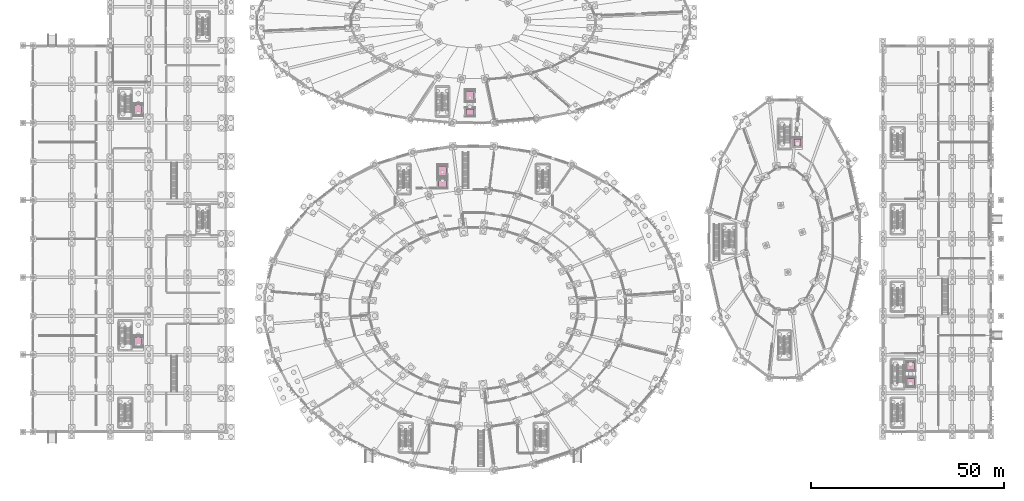
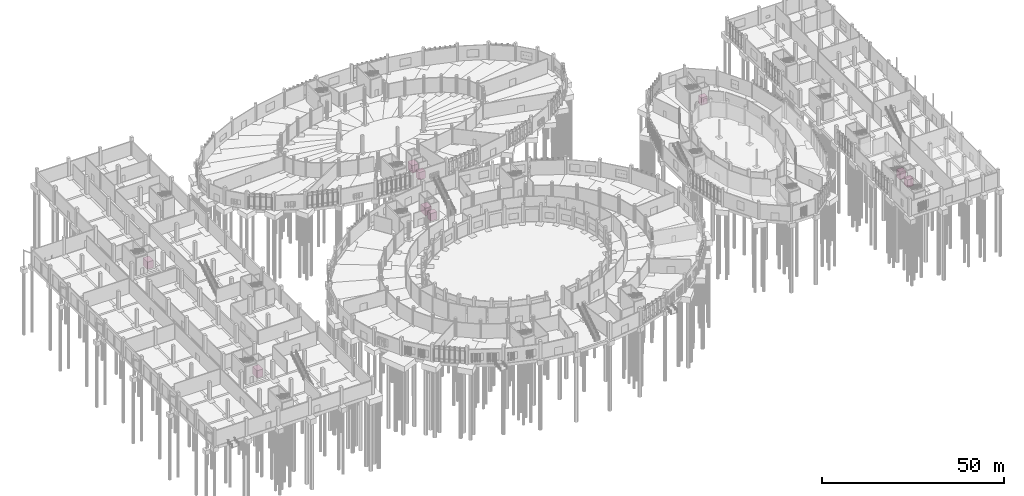
# One storey, part 140 of 140: 9 transport elements.
"""IFC4 building model written with IfcOpenShell, lengths in metres."""

from ifc_helpers import new_model, si_unit, direction, frame, origin, origin_2d, place, context, subcontext, project, spatial, rectangle, extrude, material, type_object, element, save


model = new_model("IFC4")

# Units and contexts
model_context = context("Model", 3, precision=1e-05, world=origin(), true_north=direction((0.0, 1.0)))
body_context = subcontext(model_context, "Body", "Model", "MODEL_VIEW")
ifc_project = project(units=[si_unit("LENGTHUNIT", "METRE"), si_unit("AREAUNIT", "SQUARE_METRE"), si_unit("VOLUMEUNIT", "CUBIC_METRE"), si_unit("PLANEANGLEUNIT", "RADIAN"), si_unit("MASSUNIT", "GRAM", prefix="KILO")], contexts=[model_context])

# Site, building, storey
site_placement = place(None, origin())
site = spatial("IfcSite", under=ifc_project, at=site_placement, CompositionType="ELEMENT")
building_placement = place(site_placement, origin())
building = spatial("IfcBuilding", under=site, at=building_placement, Name="Corvandel Quay Wholesale Market", CompositionType="ELEMENT")
storey_placement = place(building_placement, origin())
storey = spatial("IfcBuildingStorey", under=building, at=storey_placement, Name="L00", CompositionType="ELEMENT", Elevation=0.0)

# Transport elements
ifc_material_1 = material(Name="Chequer-plate stainless heavy traction car")
transport_element_type_1 = type_object("IfcTransportElementType", Name="Heavy Pallet Goods Lift LFT-G 5000kg", PredefinedType="ELEVATOR", material=ifc_material_1)
for number, where, z_axis, x_axis, name in (
    (1, (106.0, 77.60009765625, 0.0), (0.0, 0.0, 1.0), (1.0, 0.0, 0.0), "Goods Lift LF-V1F1"),
    (2, (113.10009765625, 97.0, 0.0), (0.0, 0.0, 1.0), (1.0, 0.0, 0.0), "Goods Lift LF-V2F1"),
):
    element("IfcTransportElement", number, at=place(storey_placement, frame(where, z_axis=z_axis, x_axis=x_axis)), inside=storey, type_object=transport_element_type_1, Name=name, PredefinedType="ELEVATOR", context=body_context, shape_type="SweptSolid", body=[
        extrude(rectangle(XDim=2.0, YDim=2.449951171875, at=origin_2d()), origin(), (0.0, 0.0, 1.0), 2.5),
    ])
for number, where, z_axis, x_axis, name in (
    (3, (27.199951171875, 33.39990234375, 0.0), (0.0, 0.0, 1.0), (1.0, 0.0, 0.0), "Goods Lift LF-V4F1"),
    (4, (27.199951171875, 93.39990234375, 0.0), (0.0, 0.0, 1.0), (1.0, 0.0, 0.0), "Goods Lift LF-V4F2"),
):
    element("IfcTransportElement", number, at=place(storey_placement, frame(where, z_axis=z_axis, x_axis=x_axis)), inside=storey, type_object=transport_element_type_1, Name=name, PredefinedType="ELEVATOR", context=body_context, shape_type="SweptSolid", body=[
        extrude(rectangle(XDim=1.89990234375, YDim=2.449951171875, at=origin_2d()), origin(), (0.0, 0.0, 1.0), 2.5),
    ])
ifc_material_2 = material(Name="Brushed stainless steel traction car", Category="steel")
transport_element_type_2 = type_object("IfcTransportElementType", Name="Market Passenger Stretcher Lift LFT-P 1800kg", PredefinedType="ELEVATOR", material=ifc_material_2)
for number, where, z_axis, x_axis, name in (
    (5, (106.0, 74.199951171875, 0.0), (0.0, 0.0, 1.0), (1.0, 0.0, 0.0), "Passenger Lift LF-V1P1"),
    (6, (113.10009765625, 92.800048828125, 0.0), (0.0, 0.0, 1.0), (1.0, 0.0, 0.0), "Passenger Lift LF-V2P1"),
):
    element("IfcTransportElement", number, at=place(storey_placement, frame(where, z_axis=z_axis, x_axis=x_axis)), inside=storey, type_object=transport_element_type_2, Name=name, PredefinedType="ELEVATOR", context=body_context, shape_type="SweptSolid", body=[
        extrude(rectangle(XDim=2.0, YDim=1.64990234375, at=origin_2d()), origin(), (0.0, 0.0, 1.0), 2.5),
    ])
transport_element_placement = place(storey_placement, frame((197.89990234375, 85.0, 0.0), z_axis=(0.0, 0.0, 1.0), x_axis=(1.0, 0.0, 0.0)))
element("IfcTransportElement", 7, at=transport_element_placement, inside=storey, type_object=transport_element_type_2, Name="Passenger Lift LF-V3P1", PredefinedType="ELEVATOR", context=body_context, shape_type="SweptSolid", body=[
    extrude(rectangle(XDim=1.89990234375, YDim=1.64990234375, at=origin_2d()), origin(), (0.0, 0.0, 1.0), 2.5),
])
for number, where, z_axis, x_axis, name in (
    (8, (227.199951171875, 22.89990234375, 0.0), (0.0, 0.0, 1.0), (1.0, 0.0, 0.0), "Passenger Lift LF-V5P1"),
    (9, (227.199951171875, 27.10009765625, 0.0), (0.0, 0.0, 1.0), (1.0, 0.0, 0.0), "Passenger Lift LF-V5P2"),
):
    element("IfcTransportElement", number, at=place(storey_placement, frame(where, z_axis=z_axis, x_axis=x_axis)), inside=storey, type_object=transport_element_type_2, Name=name, PredefinedType="ELEVATOR", context=body_context, shape_type="SweptSolid", body=[
        extrude(rectangle(XDim=1.89990234375, YDim=1.85009765625, at=origin_2d()), origin(), (0.0, 0.0, 1.0), 2.5),
    ])

save(model, "model.ifc")
